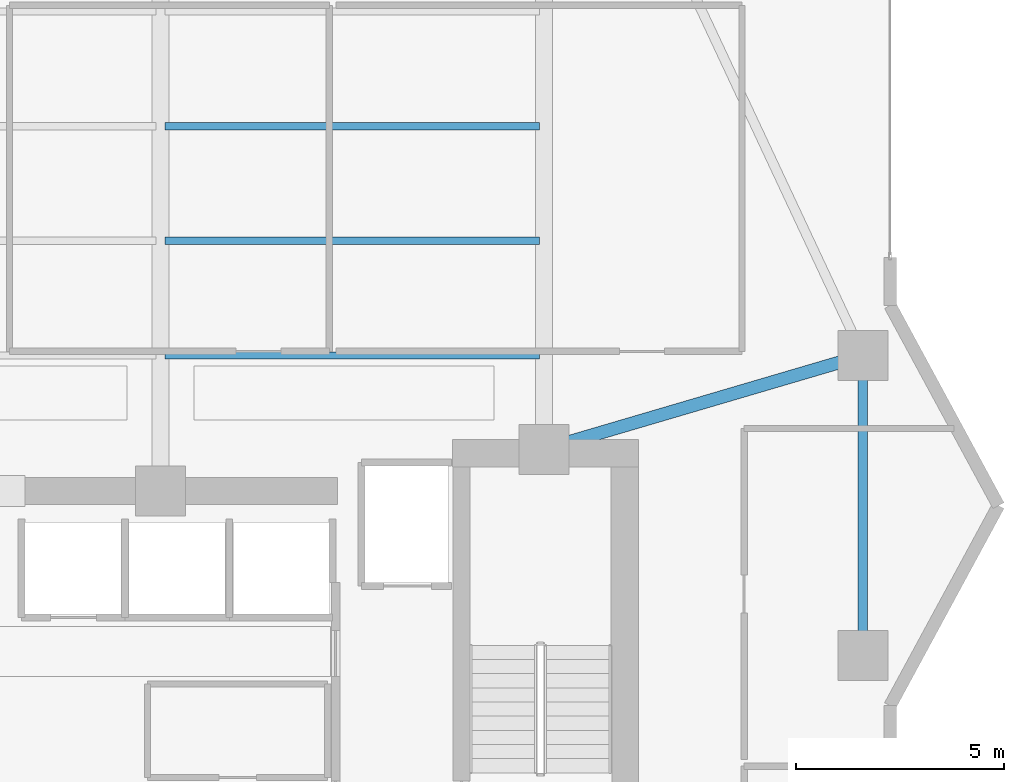
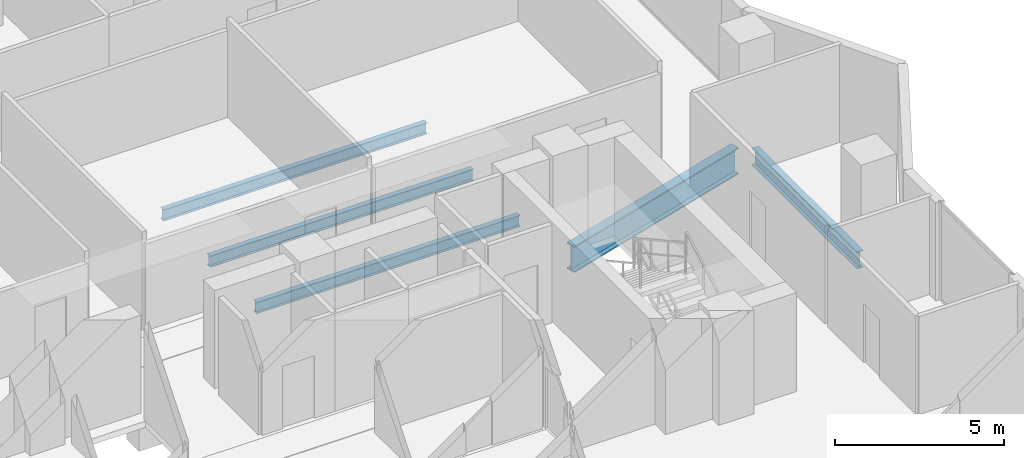
# One storey, part 13 of 32: 5 beams.
"""IFC4 building model written with IfcOpenShell, lengths in metres."""

from ifc_helpers import new_model, si_unit, direction, frame, origin, origin_2d, place, context, subcontext, project, spatial, i_section, extrude, material, material_profile, profile_set, type_object, element, save


model = new_model("IFC4")

# Units and contexts
model_context = context("Model", 3, precision=1e-05, world=origin(), true_north=direction((0.0, 1.0)))
body_context = subcontext(model_context, "Body", "Model", "MODEL_VIEW")
ifc_project = project(units=[si_unit("LENGTHUNIT", "METRE"), si_unit("AREAUNIT", "SQUARE_METRE"), si_unit("VOLUMEUNIT", "CUBIC_METRE"), si_unit("PLANEANGLEUNIT", "RADIAN"), si_unit("MASSUNIT", "GRAM", prefix="KILO")], contexts=[model_context])

# Site, building, storey
site_placement = place(None, origin())
site = spatial("IfcSite", under=ifc_project, at=site_placement, CompositionType="ELEMENT")
building_placement = place(site_placement, origin())
building = spatial("IfcBuilding", under=site, at=building_placement, Name="Zuhayl Quay Hotel", CompositionType="ELEMENT")
storey_placement = place(building_placement, frame((0.0, 0.0, 196.14990234375)))
storey = spatial("IfcBuildingStorey", under=building, at=storey_placement, Name="L49", CompositionType="ELEMENT", Elevation=196.14990234375)

# Beams
ifc_material = material(Name="Steel ASTM A992 Grade 50", Category="steel")
ifc_material_profile_1 = material_profile(ifc_material, i_section(OverallWidth=0.22802734375, OverallDepth=0.60693359375, WebThickness=0.01123046875, FlangeThickness=0.017333984375, at=origin_2d()), Name="W24X76")
ifc_profile_set_1 = profile_set([ifc_material_profile_1], Name="Steel ASTM A992 Grade 50")
beam_type_1 = type_object("IfcBeamType", Name="BM_B3_W24X76", PredefinedType="BEAM", material=ifc_profile_set_1)
beam_1_placement = place(storey_placement, frame((21.449951171875, 9.89990234375, -0.5234375), z_axis=(0.0, 1.0, 0.0), x_axis=(-1.0, 0.0, 0.0)))
element("IfcBeam", 1, at=beam_1_placement, inside=storey, type_object=beam_type_1, Name="L49 Floor Beam RG_L49_05", PredefinedType="BEAM", context=body_context, shape_type="SweptSolid", body=[
    extrude(i_section(OverallWidth=0.22802734375, OverallDepth=0.60693359375, WebThickness=0.01123046875, FlangeThickness=0.017333984375, at=origin_2d()), origin(), (0.0, 0.0, 1.0), 6.2001953125),
])
ifc_material_profile_2 = material_profile(ifc_material, i_section(OverallWidth=0.177978515625, OverallDepth=0.406005859375, WebThickness=0.0078125, FlangeThickness=0.0126953125, at=origin_2d()), Name="W16X40")
ifc_profile_set_2 = profile_set([ifc_material_profile_2], Name="Steel ASTM A992 Grade 50")
beam_type_2 = type_object("IfcBeamType", Name="BM_J2B_W16X40", PredefinedType="JOIST", material=ifc_profile_set_2)
for number, where, z_axis, x_axis, name in (
    (2, (4.7060546875, 16.60009765625, -0.4228515625), (1.0, 0.0, 0.0), (0.0, 1.0, 0.0), "L49 Floor Beam FJ_L49_1_3"),
    (3, (4.7060546875, 19.35009765625, -0.4228515625), (1.0, 0.0, 0.0), (0.0, 1.0, 0.0), "L49 Floor Beam FJ_L49_2_3"),
    (4, (4.7060546875, 22.10009765625, -0.4228515625), (1.0, 0.0, 0.0), (0.0, 1.0, 0.0), "L49 Floor Beam FJ_L49_3_3"),
):
    element("IfcBeam", number, at=place(storey_placement, frame(where, z_axis=z_axis, x_axis=x_axis)), inside=storey, type_object=beam_type_2, Name=name, PredefinedType="JOIST", context=body_context, shape_type="SweptSolid", body=[
        extrude(i_section(OverallWidth=0.177978515625, OverallDepth=0.406005859375, WebThickness=0.0078125, FlangeThickness=0.0126953125, at=origin_2d()), origin(), (0.0, 0.0, 1.0), 8.988037109375),
    ])
ifc_material_profile_3 = material_profile(ifc_material, i_section(OverallWidth=0.31005859375, OverallDepth=0.949951171875, WebThickness=0.0244140625, FlangeThickness=0.0439453125, at=origin_2d()), Name="W36X256")
ifc_profile_set_3 = profile_set([ifc_material_profile_3], Name="Steel ASTM A992 Grade 50")
beam_type_3 = type_object("IfcBeamType", Name="BM_PG1_W36X256", PredefinedType="BEAM", material=ifc_profile_set_3)
beam_2_placement = place(storey_placement, frame((14.231689453125, 14.47705078125, -0.69482421875), z_axis=(0.959364948093, 0.282168205812, 0.0), x_axis=(-0.282168205812, 0.959364948093, 0.0)))
element("IfcBeam", 5, at=beam_2_placement, inside=storey, type_object=beam_type_3, Name="L49 Floor Beam FG_E_L49_2", PredefinedType="BEAM", context=body_context, shape_type="SweptSolid", body=[
    extrude(i_section(OverallWidth=0.31005859375, OverallDepth=0.949951171875, WebThickness=0.0244140625, FlangeThickness=0.0439453125, at=origin_2d()), origin(), (0.0, 0.0, 1.0), 7.02392578125),
])

save(model, "model.ifc")
